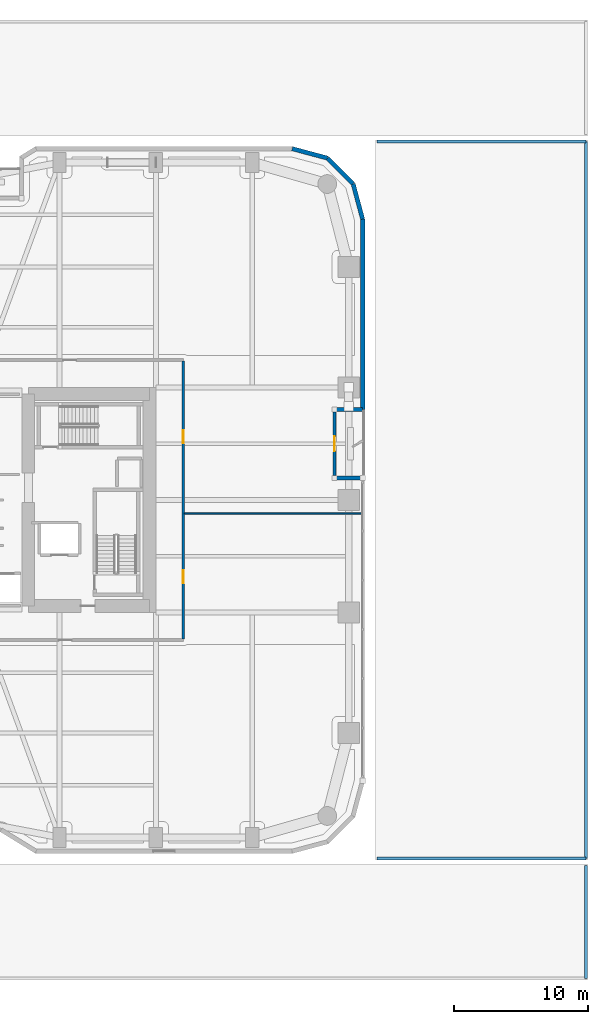
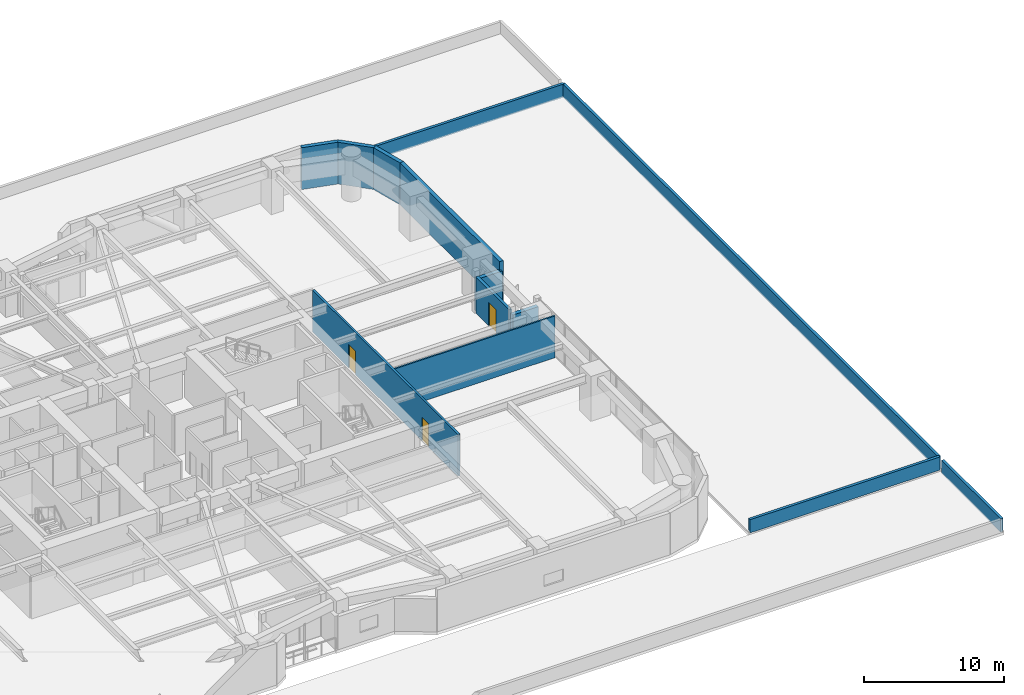
# One storey, part 31 of 38: 13 walls, 3 doors, 3 openings.
"""IFC4 building model written with IfcOpenShell, lengths in metres."""

from ifc_helpers import new_model, si_unit, direction, frame, frame_2d, origin, place, context, subcontext, project, spatial, rectangle, extrude, material, layer, layer_set, type_object, element, fill, save


model = new_model("IFC4")

# Units and contexts
model_context = context("Model", 3, precision=1e-05, world=origin(), true_north=direction((0.0, 1.0)))
body_context = subcontext(model_context, "Body", "Model", "MODEL_VIEW")
ifc_project = project(units=[si_unit("LENGTHUNIT", "METRE"), si_unit("AREAUNIT", "SQUARE_METRE"), si_unit("VOLUMEUNIT", "CUBIC_METRE"), si_unit("PLANEANGLEUNIT", "RADIAN"), si_unit("MASSUNIT", "GRAM", prefix="KILO")], contexts=[model_context])

# Site, building, storey
site_placement = place(None, origin())
site = spatial("IfcSite", under=ifc_project, at=site_placement, CompositionType="ELEMENT")
building_placement = place(site_placement, origin())
building = spatial("IfcBuilding", under=site, at=building_placement, Name="Kiyonajd Concourse Tower", CompositionType="ELEMENT")
storey_placement = place(building_placement, frame((0.0, 0.0, 21.60009765625)))
storey = spatial("IfcBuildingStorey", under=building, at=storey_placement, Name="L06", CompositionType="ELEMENT", Elevation=21.60009765625)

# Walls
ifc_material_1 = material(Name="Precast concrete C50/60", Category="concrete")
ifc_layer_1 = layer(ifc_material_1, 0.320068359375)
ifc_layer_set_1 = layer_set([ifc_layer_1], Name="Precast concrete C50/60")
wall_type_1 = type_object("IfcWallType", Name="WL-EXT-320", PredefinedType="SOLIDWALL", material=ifc_layer_set_1)
wall_1_placement = place(storey_placement, frame((73.77880859375, 62.239990234375, 0.0), z_axis=(0.0, 0.0, 1.0), x_axis=(0.965964405026, -0.25867502435, 0.0)))
element("IfcWall", 1, at=wall_1_placement, inside=storey, type_object=wall_type_1, Name="L06 Exterior Concrete Frame Wall 17", PredefinedType="SOLIDWALL", context=body_context, shape_type="SweptSolid", body=[
    extrude(rectangle(XDim=2.7314453125, YDim=0.320068359375, at=frame_2d((1.36572265625, 0.0))), origin(), (0.0, 0.0, 1.0), 3.639892578125),
])
wall_2_placement = place(storey_placement, frame((76.417236328125, 61.533447265625, 0.0), z_axis=(0.0, 0.0, 1.0), x_axis=(0.707106781187, -0.707106781187, 0.0)))
element("IfcWall", 2, at=wall_2_placement, inside=storey, type_object=wall_type_1, Name="L06 Exterior Concrete Frame Wall 18", PredefinedType="SOLIDWALL", context=body_context, shape_type="SweptSolid", body=[
    extrude(rectangle(XDim=2.7099609375, YDim=0.320068359375, at=frame_2d((1.35498046875, 0.0))), origin(), (0.0, 0.0, 1.0), 3.639892578125),
])
wall_3_placement = place(storey_placement, frame((78.33349609375, 59.6171875, 0.0), z_axis=(0.0, 0.0, 1.0), x_axis=(0.25869736047, -0.965958423373, 0.0)))
element("IfcWall", 3, at=wall_3_placement, inside=storey, type_object=wall_type_1, Name="L06 Exterior Concrete Frame Wall 19", PredefinedType="SOLIDWALL", context=body_context, shape_type="SweptSolid", body=[
    extrude(rectangle(XDim=2.731201171875, YDim=0.320068359375, at=frame_2d((1.36572265625, 0.0))), origin(), (0.0, 0.0, 1.0), 3.639892578125),
])
wall_4_placement = place(storey_placement, frame((79.0400390625, 56.97900390625, 0.0), z_axis=(0.0, 0.0, 1.0), x_axis=(0.0, -1.0, 0.0)))
element("IfcWall", 4, at=wall_4_placement, inside=storey, type_object=wall_type_1, Name="L06 Exterior Concrete Frame Wall 20", PredefinedType="SOLIDWALL", context=body_context, shape_type="SweptSolid", body=[
    extrude(rectangle(XDim=14.218994140625, YDim=0.320068359375, at=frame_2d((7.109375, 0.0))), origin(), (0.0, 0.0, 1.0), 3.639892578125),
])
for number, where, z_axis, x_axis, name in (
    (5, (79.0400390625, 42.760009765625, 0.0), (0.0, 0.0, 1.0), (-1.0, 0.0, 0.0), "L06 Exterior Concrete Frame Wall 21"),
    (6, (76.93994140625, 37.639892578125, 0.0), (0.0, 0.0, 1.0), (1.0, 0.0, 0.0), "L06 Exterior Concrete Frame Wall 23"),
):
    element("IfcWall", number, at=place(storey_placement, frame(where, z_axis=z_axis, x_axis=x_axis)), inside=storey, type_object=wall_type_1, Name=name, PredefinedType="SOLIDWALL", context=body_context, shape_type="SweptSolid", body=[
        extrude(rectangle(XDim=2.10009765625, YDim=0.320068359375, at=frame_2d((1.050048828125, 0.0))), origin(), (0.0, 0.0, 1.0), 2.875),
    ])

# Wall, opening, door
ifc_layer_2 = layer(ifc_material_1, 0.239990234375)
ifc_layer_set_2 = layer_set([ifc_layer_2], Name="Precast concrete C50/60")
wall_type_2 = type_object("IfcWallType", Name="WL-LOG-240", PredefinedType="SOLIDWALL", material=ifc_layer_set_2)
wall_5_placement = place(storey_placement, frame((76.93994140625, 42.56494140625, 0.0), z_axis=(0.0, 0.0, 1.0), x_axis=(0.0, -1.0, 0.0)))
wall_5 = element("IfcWall", 7, at=wall_5_placement, inside=storey, type_object=wall_type_2, Name="L06 Recessed Loggia Thermal Wall LOG-E", PredefinedType="SOLIDWALL", context=body_context, shape_type="SweptSolid", body=[
    extrude(rectangle(XDim=4.72998046875, YDim=0.239990234375, at=frame_2d((2.364990234375, 0.0))), origin(), (0.0, 0.0, 1.0), 3.161865234375),
])
opening_1_placement = place(wall_5_placement, frame((1.81494140625, 0.0, 0.0)))
opening_1 = element("IfcOpeningElement", 8, at=opening_1_placement, cuts=wall_5, Name="Opening DL2", PredefinedType="OPENING", context=body_context, shape_type="SweptSolid", body=[
    extrude(rectangle(XDim=1.10009765625, YDim=2.0400390625, at=frame_2d((0.550048828125, 1.02001953125))), frame((0.0, 0.1298828125, 0.0), z_axis=(0.0, -1.0, 0.0), x_axis=(1.0, 0.0, 0.0)), (0.0, 0.0, 1.0), 0.260009765625),
])
ifc_material_2 = material(Name="Thermally Broken Anodised Aluminium", Category="aluminium")
door_type_1 = type_object("IfcDoorType", Name="DR-LOG-1100", OperationType="NOTDEFINED", PredefinedType="DOOR", material=ifc_material_2)
door_1_placement = place(opening_1_placement, origin())
door_1 = element("IfcDoor", 9, at=door_1_placement, inside=storey, type_object=door_type_1, Name="L06 Engawa Loggia Access Door LOG-E", OperationType="SINGLE_SWING_LEFT", OverallHeight=2.0400390625, OverallWidth=1.10009765625, PredefinedType="DOOR", context=body_context, shape_type="SweptSolid", body=[
    extrude(rectangle(XDim=1.10009765625, YDim=2.0400390625, at=frame_2d((0.550048828125, 1.02001953125))), frame((0.0, 0.02490234375, 0.0), z_axis=(0.0, -1.0, 0.0), x_axis=(1.0, 0.0, 0.0)), (0.0, 0.0, 1.0), 0.050048828125),
])
fill(opening_1, door_1)

# Walls
ifc_layer_3 = layer(ifc_material_1, 0.219970703125)
ifc_layer_set_3 = layer_set([ifc_layer_3], Name="Precast concrete C50/60")
wall_type_3 = type_object("IfcWallType", Name="WL-PAR-220", PredefinedType="PARAPET", material=ifc_layer_set_3)
wall_6_placement = place(storey_placement, frame((95.739990234375, 8.68994140625, 0.0), z_axis=(0.0, 0.0, 1.0), x_axis=(0.0, -1.0, 0.0)))
element("IfcWall", 10, at=wall_6_placement, inside=storey, type_object=wall_type_3, Name="L06 Setback Roof Parapet 04", PredefinedType="PARAPET", context=body_context, shape_type="SweptSolid", body=[
    extrude(rectangle(XDim=8.429931640625, YDim=0.219970703125, at=frame_2d((4.21484375, 0.0))), origin(), (0.0, 0.0, 1.0), 1.14990234375),
])
for number, where, z_axis, x_axis, name in (
    (11, (95.739990234375, 9.2099609375, 0.0), (0.0, 0.0, 1.0), (-1.0, 0.0, 0.0), "L06 Setback Roof Parapet 01"),
    (12, (80.110107421875, 62.7900390625, 0.0), (0.0, 0.0, 1.0), (1.0, 0.0, 0.0), "L06 Setback Roof Parapet 03"),
):
    element("IfcWall", number, at=place(storey_placement, frame(where, z_axis=z_axis, x_axis=x_axis)), inside=storey, type_object=wall_type_3, Name=name, PredefinedType="PARAPET", context=body_context, shape_type="SweptSolid", body=[
        extrude(rectangle(XDim=15.6298828125, YDim=0.219970703125, at=frame_2d((7.81494140625, 0.0))), origin(), (0.0, 0.0, 1.0), 1.14990234375),
    ])
wall_7_placement = place(storey_placement, frame((95.739990234375, 62.7900390625, 0.0), z_axis=(0.0, 0.0, 1.0), x_axis=(0.0, -1.0, 0.0)))
element("IfcWall", 13, at=wall_7_placement, inside=storey, type_object=wall_type_3, Name="L06 Setback Roof Parapet 04", PredefinedType="PARAPET", context=body_context, shape_type="SweptSolid", body=[
    extrude(rectangle(XDim=53.580078125, YDim=0.219970703125, at=frame_2d((26.7900390625, 0.0))), origin(), (0.0, 0.0, 1.0), 1.14990234375),
])
ifc_material_3 = material(Name="Gypsum Board on Cold-Formed Steel Stud", Category="steel")
ifc_layer_4 = layer(ifc_material_3, 0.125)
ifc_layer_set_4 = layer_set([ifc_layer_4], Name="Gypsum Board on Cold-Formed Steel Stud")
wall_type_4 = type_object("IfcWallType", Name="WL-PART-125", PredefinedType="PARTITIONING", material=ifc_layer_set_4)
wall_8_placement = place(storey_placement, frame((65.737060546875, 35.0, 0.0), z_axis=(0.0, 0.0, 1.0), x_axis=(1.0, 0.0, 0.0)))
element("IfcWall", 14, at=wall_8_placement, inside=storey, type_object=wall_type_4, Name="L06 Interior Partition Wall", PredefinedType="PARTITIONING", context=body_context, shape_type="SweptSolid", body=[
    extrude(rectangle(XDim=13.218017578125, YDim=0.125, at=frame_2d((6.60888671875, 0.0))), origin(), (0.0, 0.0, 1.0), 3.639892578125),
])

# Wall, openings, doors
ifc_layer_5 = layer(ifc_material_3, 0.169921875)
ifc_layer_set_5 = layer_set([ifc_layer_5], Name="Gypsum Board on Cold-Formed Steel Stud")
wall_type_5 = type_object("IfcWallType", Name="WL-SMK-170", PredefinedType="PARTITIONING", material=ifc_layer_set_5)
wall_9_placement = place(storey_placement, frame((65.64990234375, 25.636962890625, 0.0), z_axis=(0.0, 0.0, 1.0), x_axis=(0.0, 1.0, 0.0)))
wall_9 = element("IfcWall", 15, at=wall_9_placement, inside=storey, type_object=wall_type_5, Name="L06 Interior Partition Wall", PredefinedType="PARTITIONING", context=body_context, shape_type="SweptSolid", body=[
    extrude(rectangle(XDim=20.72607421875, YDim=0.169921875, at=frame_2d((10.363037109375, 0.0))), origin(), (0.0, 0.0, 1.0), 3.639892578125),
])
opening_2_placement = place(wall_9_placement, frame((4.1630859375, 0.0, 0.0)))
opening_2 = element("IfcOpeningElement", 16, at=opening_2_placement, cuts=wall_9, Name="Opening DI1", PredefinedType="OPENING", context=body_context, shape_type="SweptSolid", body=[
    extrude(rectangle(XDim=0.949951171875, YDim=2.0400390625, at=frame_2d((0.47509765625, 1.02001953125))), frame((0.0, 0.094970703125, 0.0), z_axis=(0.0, -1.0, 0.0), x_axis=(1.0, 0.0, 0.0)), (0.0, 0.0, 1.0), 0.18994140625),
])
opening_3_placement = place(wall_9_placement, frame((14.613037109375, 0.0, 0.0)))
opening_3 = element("IfcOpeningElement", 17, at=opening_3_placement, cuts=wall_9, Name="Opening DI1", PredefinedType="OPENING", context=body_context, shape_type="SweptSolid", body=[
    extrude(rectangle(XDim=0.949951171875, YDim=2.0400390625, at=frame_2d((0.47509765625, 1.02001953125))), frame((0.0, 0.094970703125, 0.0), z_axis=(0.0, -1.0, 0.0), x_axis=(1.0, 0.0, 0.0)), (0.0, 0.0, 1.0), 0.18994140625),
])
ifc_material_4 = material(Name="Natural Oak Acoustic Timber Veneer", Category="wood")
door_type_2 = type_object("IfcDoorType", Name="DR-INT-950", OperationType="NOTDEFINED", PredefinedType="DOOR", material=ifc_material_4)
door_2_placement = place(opening_2_placement, origin())
door_2 = element("IfcDoor", 18, at=door_2_placement, inside=storey, type_object=door_type_2, Name="L06 Interior Door", OperationType="SINGLE_SWING_LEFT", OverallHeight=2.0400390625, OverallWidth=0.949951171875, PredefinedType="DOOR", context=body_context, shape_type="SweptSolid", body=[
    extrude(rectangle(XDim=0.949951171875, YDim=2.0400390625, at=frame_2d((0.47509765625, 1.02001953125))), frame((0.0, 0.02490234375, 0.0), z_axis=(0.0, -1.0, 0.0), x_axis=(1.0, 0.0, 0.0)), (0.0, 0.0, 1.0), 0.050048828125),
])
fill(opening_2, door_2)
door_3_placement = place(opening_3_placement, origin())
door_3 = element("IfcDoor", 19, at=door_3_placement, inside=storey, type_object=door_type_2, Name="L06 Interior Door", OperationType="SINGLE_SWING_RIGHT", OverallHeight=2.0400390625, OverallWidth=0.949951171875, PredefinedType="DOOR", context=body_context, shape_type="SweptSolid", body=[
    extrude(rectangle(XDim=0.949951171875, YDim=2.0400390625, at=frame_2d((0.47509765625, 1.02001953125))), frame((0.0, 0.02490234375, 0.0), z_axis=(0.0, -1.0, 0.0), x_axis=(1.0, 0.0, 0.0)), (0.0, 0.0, 1.0), 0.050048828125),
])
fill(opening_3, door_3)

save(model, "model.ifc")
